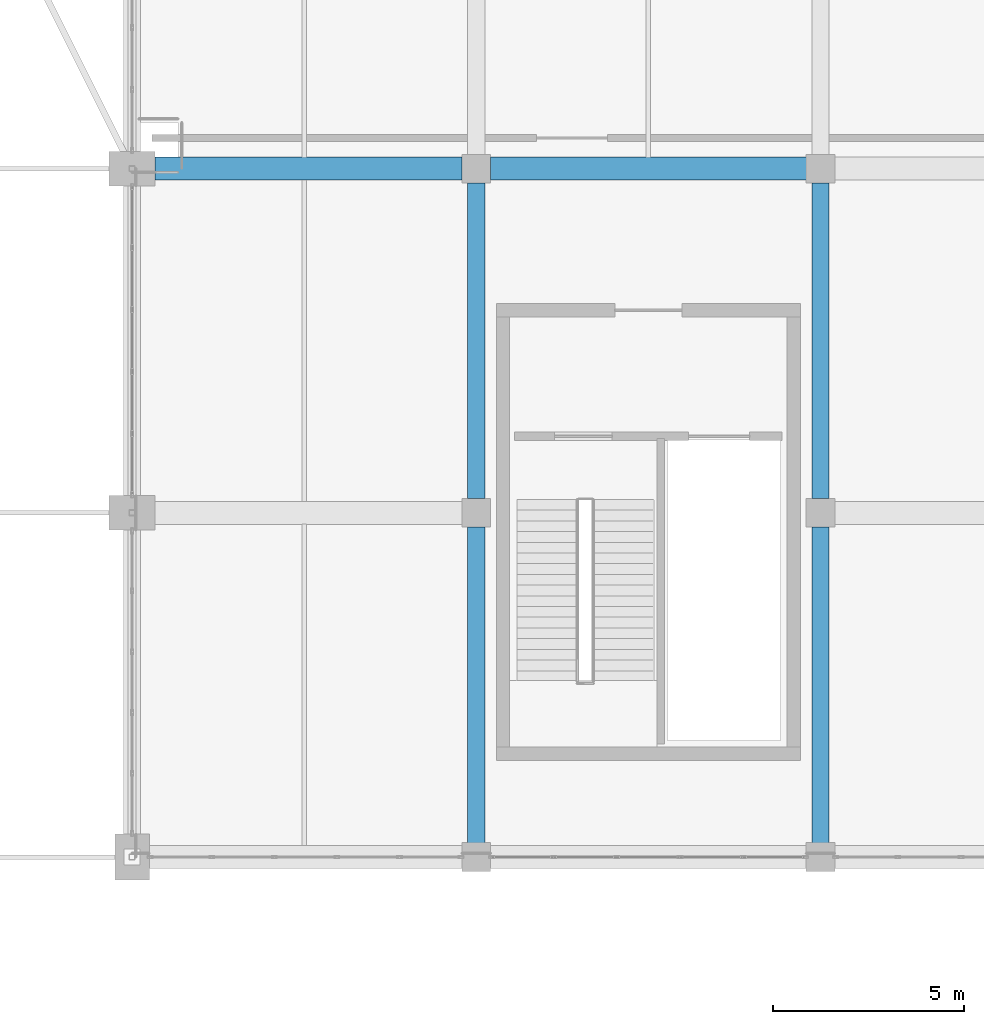
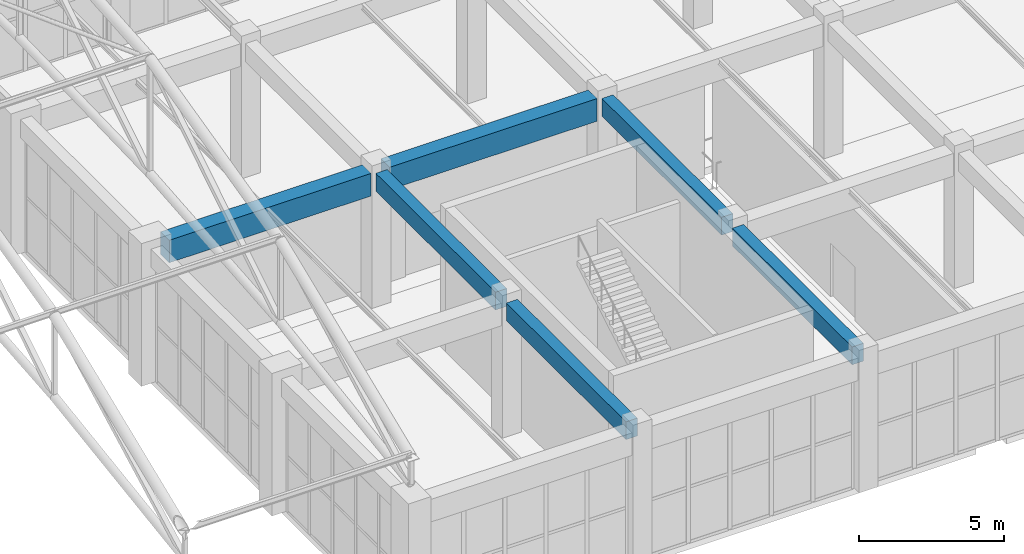
# One storey, part 99 of 223: 6 beams.
"""IFC4 building model written with IfcOpenShell, lengths in metres."""

from ifc_helpers import new_model, si_unit, direction, frame, origin, origin_2d, place, context, subcontext, project, spatial, rectangle, extrude, material, material_profile, profile_set, type_object, element, save


model = new_model("IFC4")

# Units and contexts
model_context = context("Model", 3, precision=1e-05, world=origin(), true_north=direction((0.0, 1.0)))
body_context = subcontext(model_context, "Body", "Model", "MODEL_VIEW")
ifc_project = project(units=[si_unit("LENGTHUNIT", "METRE"), si_unit("AREAUNIT", "SQUARE_METRE"), si_unit("VOLUMEUNIT", "CUBIC_METRE"), si_unit("PLANEANGLEUNIT", "RADIAN"), si_unit("MASSUNIT", "GRAM", prefix="KILO")], contexts=[model_context])

# Site, building, storey
site_placement = place(None, origin())
site = spatial("IfcSite", under=ifc_project, at=site_placement, CompositionType="ELEMENT")
building_placement = place(site_placement, origin())
building = spatial("IfcBuilding", under=site, at=building_placement, Name="Dornveld Trade and Exhibition Forum", CompositionType="ELEMENT")
storey_placement = place(building_placement, frame((0.0, 0.0, 6.0)))
storey = spatial("IfcBuildingStorey", under=building, at=storey_placement, Name="L01", CompositionType="ELEMENT", Elevation=6.0)

# Beams
ifc_material_1 = material(Name="Precast concrete C50/60", Category="concrete")
ifc_material_profile_1 = material_profile(ifc_material_1, rectangle(XDim=0.449951171875, YDim=0.75, at=origin_2d()), Name="PC-BM 450x750")
ifc_profile_set_1 = profile_set([ifc_material_profile_1], Name="Precast concrete C50/60")
beam_type_1 = type_object("IfcBeamType", Name="BM-PC-450x750", PredefinedType="BEAM", material=ifc_profile_set_1)
for number, where, z_axis, x_axis, name in (
    (1, (180.0, 108.37109375, 5.264892578125), (0.0, 1.0, 0.0), (-1.0, 0.0, 0.0), "L01 Y-girder 1352"),
    (2, (180.0, 117.37109375, 5.264892578125), (0.0, 1.0, 0.0), (-1.0, 0.0, 0.0), "L01 Y-girder 1353"),
    (3, (189.0, 108.37109375, 5.264892578125), (0.0, 1.0, 0.0), (-1.0, 0.0, 0.0), "L01 Y-girder 1355"),
    (4, (189.0, 117.37109375, 5.264892578125), (0.0, 1.0, 0.0), (-1.0, 0.0, 0.0), "L01 Y-girder 1356"),
):
    element("IfcBeam", number, at=place(storey_placement, frame(where, z_axis=z_axis, x_axis=x_axis)), inside=storey, type_object=beam_type_1, Name=name, PredefinedType="BEAM", context=body_context, shape_type="SweptSolid", body=[
        extrude(rectangle(XDim=0.449951171875, YDim=0.75, at=origin_2d()), origin(), (0.0, 0.0, 1.0), 8.2578125),
    ])
ifc_material_2 = material(Name="Precast concrete C50/60", Category="concrete")
ifc_material_profile_2 = material_profile(ifc_material_2, rectangle(XDim=0.60009765625, YDim=0.949951171875, at=origin_2d()), Name="PC-GIR 600x950")
ifc_profile_set_2 = profile_set([ifc_material_profile_2], Name="Precast concrete C50/60")
beam_type_2 = type_object("IfcBeamType", Name="BM-PC-600x950", PredefinedType="T_BEAM", material=ifc_profile_set_2)
beam_1_placement = place(storey_placement, frame((171.595947265625, 126.0, 5.1650390625), z_axis=(1.0, 0.0, 0.0), x_axis=(0.0, 1.0, 0.0)))
element("IfcBeam", 5, at=beam_1_placement, inside=storey, type_object=beam_type_2, Name="L01 X-girder 1341", PredefinedType="T_BEAM", context=body_context, shape_type="SweptSolid", body=[
    extrude(rectangle(XDim=0.60009765625, YDim=0.949951171875, at=origin_2d()), origin(), (0.0, 0.0, 1.0), 8.032958984375),
])
beam_2_placement = place(storey_placement, frame((180.37109375, 126.0, 5.1650390625), z_axis=(1.0, 0.0, 0.0), x_axis=(0.0, 1.0, 0.0)))
element("IfcBeam", 6, at=beam_2_placement, inside=storey, type_object=beam_type_2, Name="L01 X-girder 1342", PredefinedType="T_BEAM", context=body_context, shape_type="SweptSolid", body=[
    extrude(rectangle(XDim=0.60009765625, YDim=0.949951171875, at=origin_2d()), origin(), (0.0, 0.0, 1.0), 8.2578125),
])

save(model, "model.ifc")
